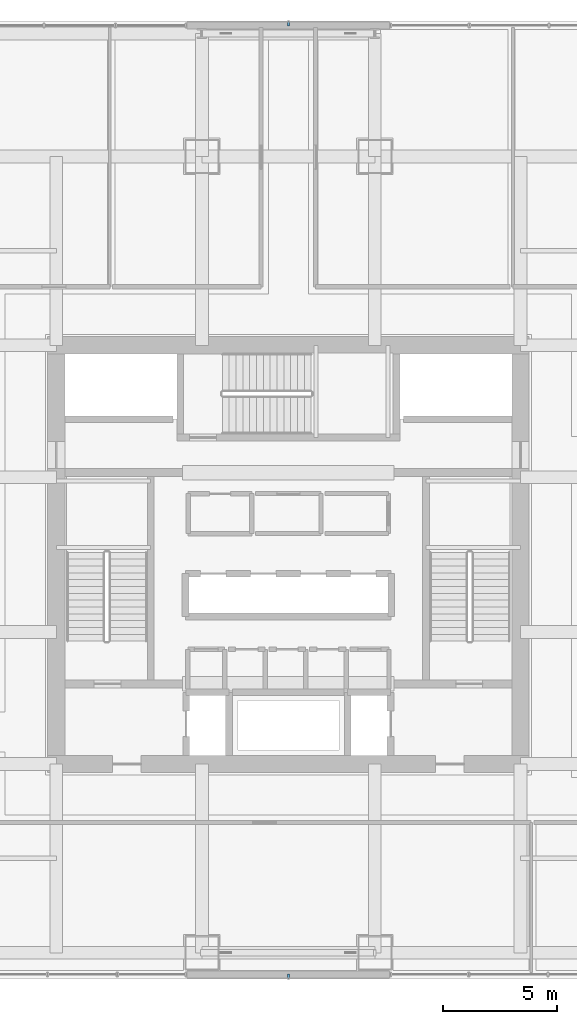
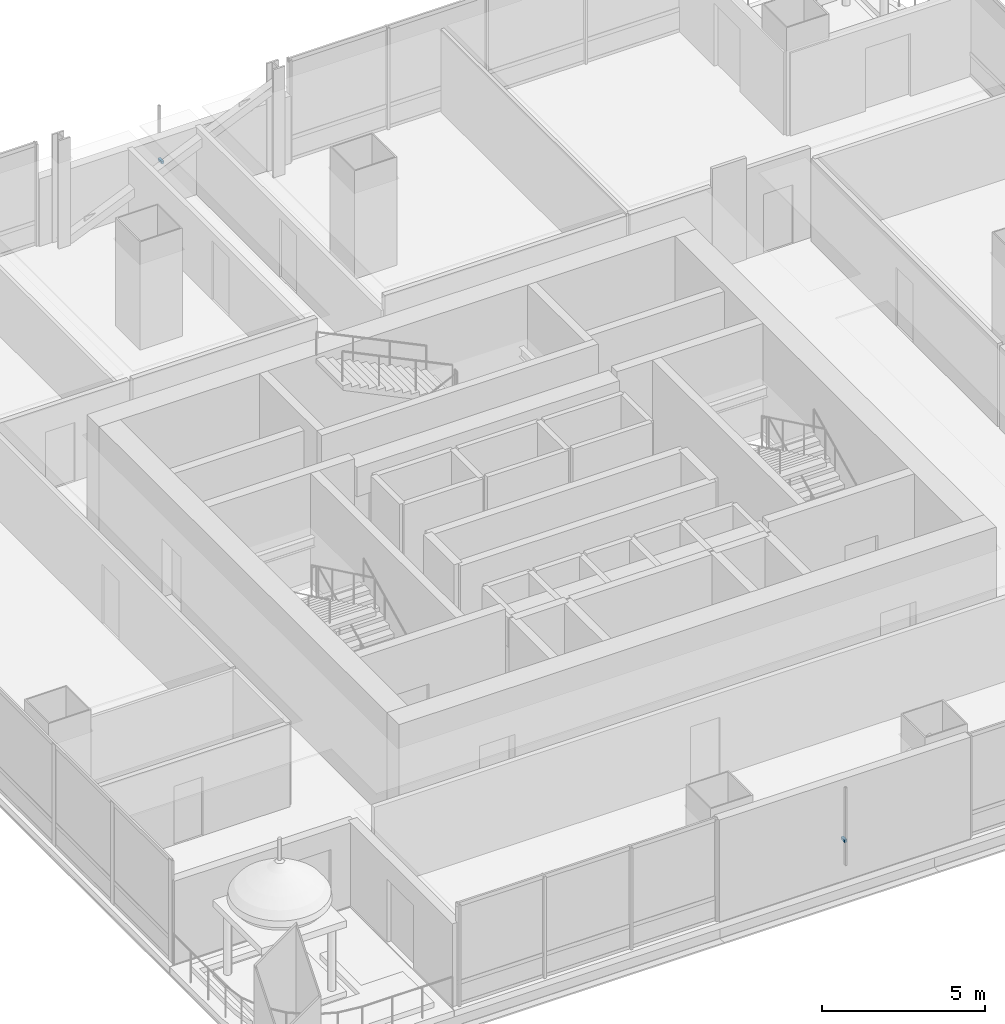
# One storey, part 29 of 37: 2 discrete accessories.
"""IFC4 building model written with IfcOpenShell, lengths in metres."""

from ifc_helpers import new_model, si_unit, direction, frame, origin, origin_2d, place, context, subcontext, project, spatial, rectangle, extrude, material, type_object, element, save


model = new_model("IFC4")

# Units and contexts
model_context = context("Model", 3, precision=1e-05, world=origin(), true_north=direction((0.0, 1.0)))
body_context = subcontext(model_context, "Body", "Model", "MODEL_VIEW")
ifc_project = project(units=[si_unit("LENGTHUNIT", "METRE"), si_unit("AREAUNIT", "SQUARE_METRE"), si_unit("VOLUMEUNIT", "CUBIC_METRE"), si_unit("PLANEANGLEUNIT", "RADIAN"), si_unit("MASSUNIT", "GRAM", prefix="KILO")], contexts=[model_context])

# Site, building, storey
site_placement = place(None, origin())
site = spatial("IfcSite", under=ifc_project, at=site_placement, CompositionType="ELEMENT")
building_placement = place(site_placement, origin())
building = spatial("IfcBuilding", under=site, at=building_placement, Name="Punatoya Terracotta Tower", CompositionType="ELEMENT")
storey_placement = place(building_placement, frame((0.0, 0.0, 109.199951171875)))
storey = spatial("IfcBuildingStorey", under=building, at=storey_placement, Name="L25", CompositionType="ELEMENT", Elevation=109.199951171875)

# Discrete accessories
ifc_material = material(Name="Steel S355", Category="steel")
discrete_accessory_type = type_object("IfcDiscreteAccessoryType", Name="ACC-BRK-220", PredefinedType="BRACKET", material=ifc_material)
for number, where, z_axis, x_axis, name in (
    (1, (0.0, -18.550048828125, 1.449951171875), (0.0, 0.0, 1.0), (1.0, 0.0, 0.0), "L25 Jali Fin Support Bracket S1"),
    (2, (0.0, 23.35009765625, 1.449951171875), (0.0, 0.0, 1.0), (-1.0, 0.0, 0.0), "L25 Jali Fin Support Bracket N1"),
):
    element("IfcDiscreteAccessory", number, at=place(storey_placement, frame(where, z_axis=z_axis, x_axis=x_axis)), inside=storey, type_object=discrete_accessory_type, Name=name, PredefinedType="BRACKET", context=body_context, shape_type="SweptSolid", body=[
        extrude(rectangle(XDim=0.090087890625, YDim=0.219970703125, at=origin_2d()), origin(), (0.0, 0.0, 1.0), 0.10009765625),
    ])

save(model, "model.ifc")
